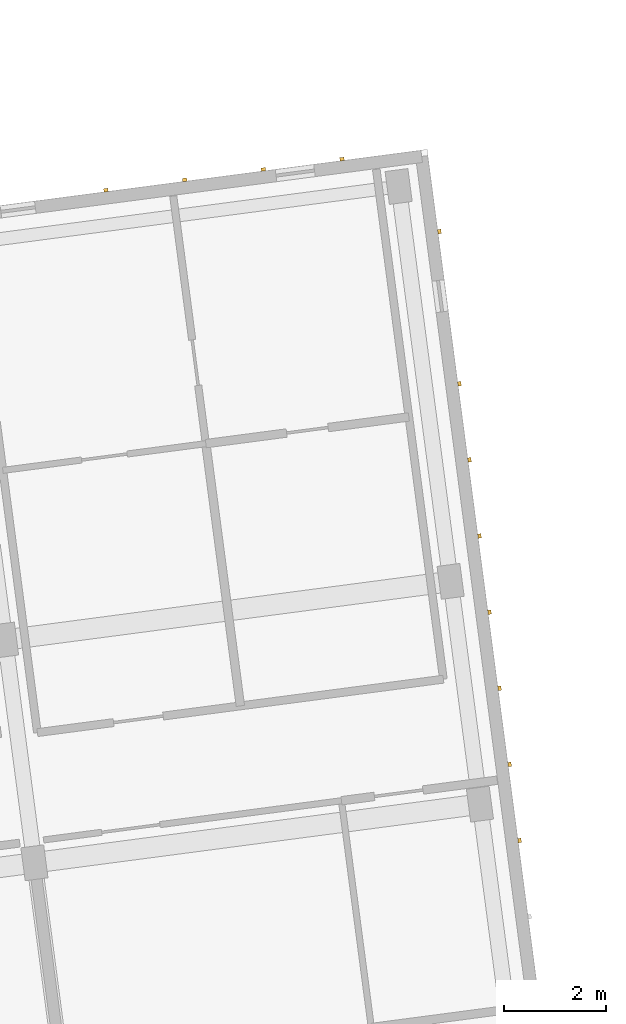
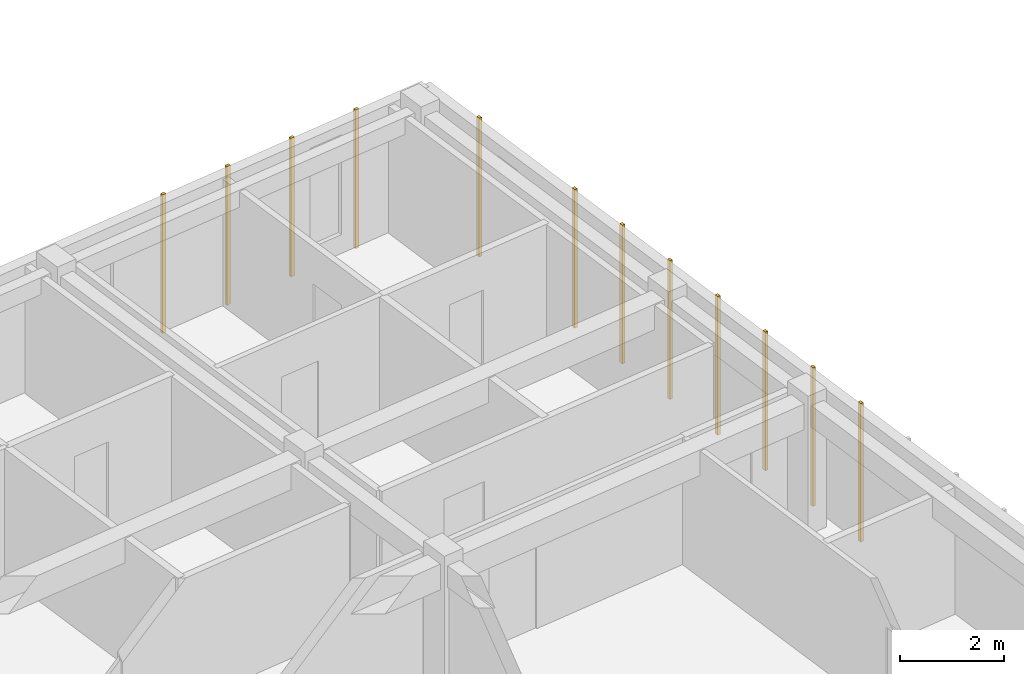
# One storey, part 42 of 56: 12 coverings.
"""IFC4 building model written with IfcOpenShell, lengths in metres."""

from ifc_helpers import new_model, si_unit, direction, frame, origin, origin_2d, place, context, subcontext, project, spatial, rectangle, extrude, material, layer, layer_set, type_object, element, save


model = new_model("IFC4")

# Units and contexts
model_context = context("Model", 3, precision=1e-05, world=origin(), true_north=direction((0.0, 1.0)))
body_context = subcontext(model_context, "Body", "Model", "MODEL_VIEW")
ifc_project = project(units=[si_unit("LENGTHUNIT", "METRE"), si_unit("AREAUNIT", "SQUARE_METRE"), si_unit("VOLUMEUNIT", "CUBIC_METRE"), si_unit("PLANEANGLEUNIT", "RADIAN"), si_unit("MASSUNIT", "GRAM", prefix="KILO")], contexts=[model_context])

# Site, building, storey
site_placement = place(None, origin())
site = spatial("IfcSite", under=ifc_project, at=site_placement, CompositionType="ELEMENT")
building_placement = place(site_placement, origin())
building = spatial("IfcBuilding", under=site, at=building_placement, Name="Kestramere Prow Commons", CompositionType="ELEMENT")
storey_placement = place(building_placement, frame((0.0, 0.0, 27.89990234375)))
storey = spatial("IfcBuildingStorey", under=building, at=storey_placement, Name="L08", CompositionType="ELEMENT", Elevation=27.89990234375)

# Coverings
ifc_material = material(Name="Weathered Zinc-Titanium Standing-Seam Cladding")
ifc_layer = layer(ifc_material, 0.074951171875)
ifc_layer_set = layer_set([ifc_layer], Name="Weathered Zinc-Titanium Standing-Seam Cladding")
covering_type = type_object("IfcCoveringType", Name="COV-CLAD-SEAM", PredefinedType="CLADDING", material=ifc_layer_set)
for number, where, z_axis, x_axis, name in (
    (1, (55.206298828125, 98.6494140625, -0.25), (0.0, 0.0, 1.0), (0.991444861374, 0.13052619222, 0.0), "EW-A-L08-N-5 Standing-Seam Rib 2"),
    (2, (56.747314453125, 98.852294921875, -0.25), (0.0, 0.0, 1.0), (0.991444861374, 0.13052619222, 0.0), "EW-A-L08-N-5 Standing-Seam Rib 3"),
    (3, (58.2880859375, 99.05517578125, -0.25), (0.0, 0.0, 1.0), (0.991444861374, 0.13052619222, 0.0), "EW-A-L08-N-5 Standing-Seam Rib 4"),
    (4, (59.828857421875, 99.258056640625, -0.25), (0.0, 0.0, 1.0), (0.991444861374, 0.13052619222, 0.0), "EW-A-L08-N-5 Standing-Seam Rib 5"),
    (5, (61.7373046875, 97.8388671875, -0.25), (0.0, 0.0, 1.0), (0.13052619222, -0.991444861374, 0.0), "EW-A-L08-EAV Standing-Seam Rib 1"),
    (6, (62.129638671875, 94.857421875, -0.25), (0.0, 0.0, 1.0), (0.13052619222, -0.991444861374, 0.0), "EW-A-L08-EAV Standing-Seam Rib 3"),
    (7, (62.325927734375, 93.36669921875, -0.25), (0.0, 0.0, 1.0), (0.13052619222, -0.991444861374, 0.0), "EW-A-L08-EAV Standing-Seam Rib 4"),
    (8, (62.522216796875, 91.8759765625, -0.25), (0.0, 0.0, 1.0), (0.13052619222, -0.991444861374, 0.0), "EW-A-L08-EAV Standing-Seam Rib 5"),
    (9, (62.718505859375, 90.38525390625, -0.25), (0.0, 0.0, 1.0), (0.13052619222, -0.991444861374, 0.0), "EW-A-L08-EAV Standing-Seam Rib 6"),
    (10, (62.914794921875, 88.894775390625, -0.25), (0.0, 0.0, 1.0), (0.13052619222, -0.991444861374, 0.0), "EW-A-L08-EAV Standing-Seam Rib 7"),
    (11, (63.111083984375, 87.404052734375, -0.25), (0.0, 0.0, 1.0), (0.13052619222, -0.991444861374, 0.0), "EW-A-L08-EAV Standing-Seam Rib 8"),
    (12, (63.30712890625, 85.913330078125, -0.25), (0.0, 0.0, 1.0), (0.13052619222, -0.991444861374, 0.0), "EW-A-L08-EAV Standing-Seam Rib 9"),
):
    element("IfcCovering", number, at=place(storey_placement, frame(where, z_axis=z_axis, x_axis=x_axis)), inside=storey, type_object=covering_type, Name=name, PredefinedType="CLADDING", context=body_context, shape_type="SweptSolid", body=[
        extrude(rectangle(XDim=0.0849609375, YDim=0.06494140625, at=origin_2d()), origin(), (0.0, 0.0, 1.0), 3.25),
    ])

save(model, "model.ifc")
